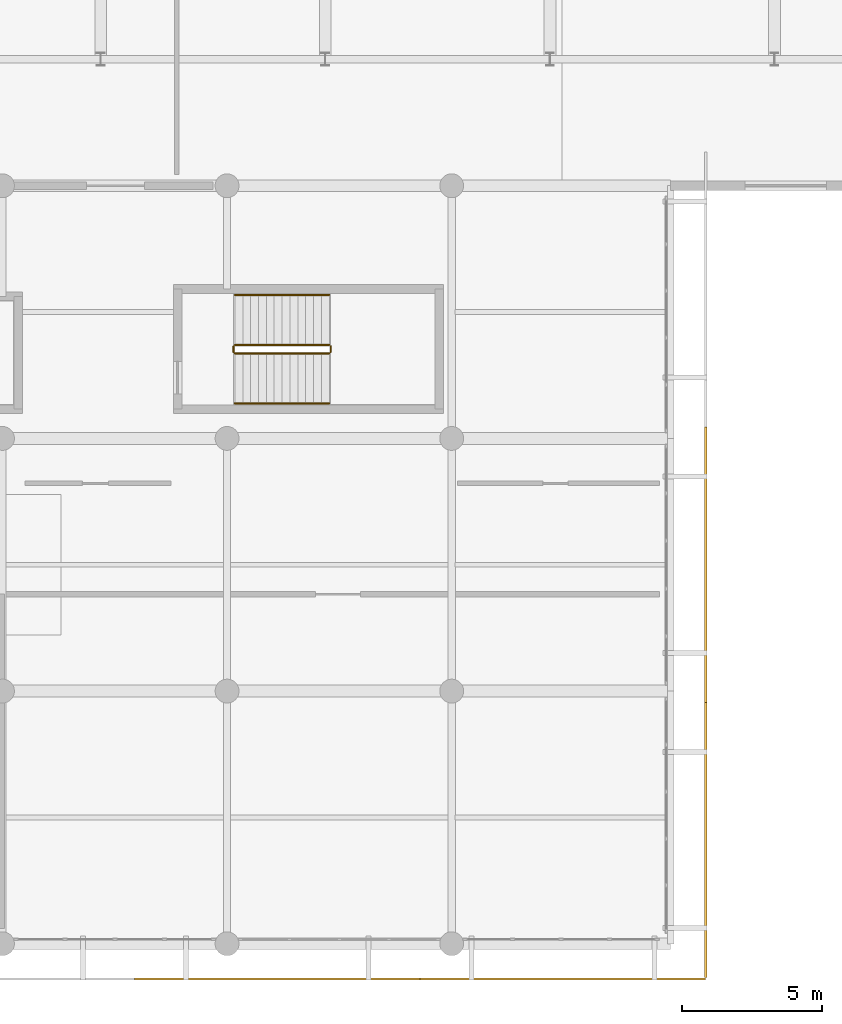
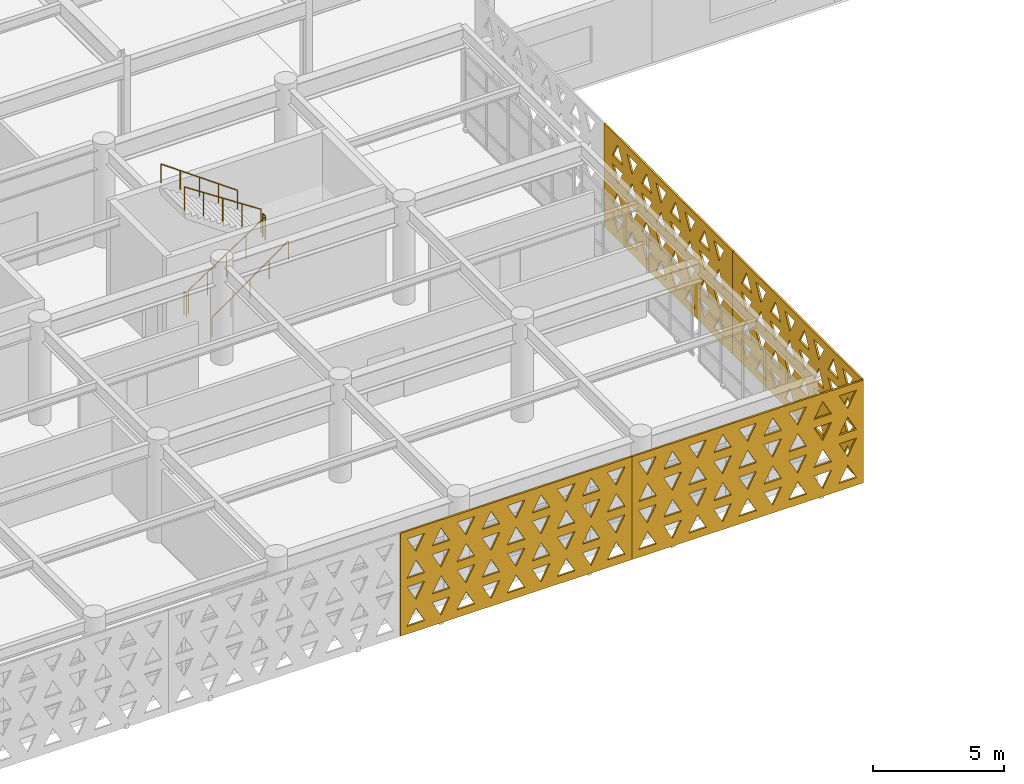
# One storey, part 49 of 54: 6 railings, 4 coverings.
"""IFC4 building model written with IfcOpenShell, lengths in metres."""

from ifc_helpers import new_model, si_unit, direction, frame, origin, origin_2d, place, context, subcontext, project, spatial, polyline, circle, outline, extrude, material, layer, layer_set, type_object, element, save


model = new_model("IFC4")

# Units and contexts
model_context = context("Model", 3, precision=1e-05, world=origin(), true_north=direction((0.0, 1.0)))
body_context = subcontext(model_context, "Body", "Model", "MODEL_VIEW")
ifc_project = project(units=[si_unit("LENGTHUNIT", "METRE"), si_unit("AREAUNIT", "SQUARE_METRE"), si_unit("VOLUMEUNIT", "CUBIC_METRE"), si_unit("PLANEANGLEUNIT", "RADIAN"), si_unit("MASSUNIT", "GRAM", prefix="KILO")], contexts=[model_context])

# Site, building, storey
site_placement = place(None, origin())
site = spatial("IfcSite", under=ifc_project, at=site_placement, CompositionType="ELEMENT")
building_placement = place(site_placement, origin())
building = spatial("IfcBuilding", under=site, at=building_placement, Name="Tlacozan Convention Centre", CompositionType="ELEMENT")
storey_placement = place(building_placement, frame((0.0, 0.0, 11.39990234375)))
storey = spatial("IfcBuildingStorey", under=building, at=storey_placement, Name="L02", CompositionType="ELEMENT", Elevation=11.39990234375)

# Railings
ifc_material_1 = material(Name="Architectural Painted Galvanised Steel Railing", Category="steel")
railing_type_1 = type_object("IfcRailingType", Name="Stair Wall Handrail 900", PredefinedType="HANDRAIL", material=ifc_material_1)
railing_1_placement = place(storey_placement, frame((104.280029296875, 19.25, 0.184814453125)))
element("IfcRailing", 1, at=railing_1_placement, inside=storey, type_object=railing_type_1, Name="L02 ST-05 stair handrail 1", PredefinedType="HANDRAIL", context=body_context, shape_type="SweptSolid", body=[
    extrude(circle(Radius=0.02392578125, at=origin_2d()), frame((0.0, 0.0, 0.8759765625), z_axis=(0.813733471207, 0.0, 0.581238193719), x_axis=(0.0, 1.0, 0.0)), (0.0, 0.0, 1.0), 4.12890625),
    extrude(circle(Radius=0.02099609375, at=origin_2d()), origin(), (0.0, 0.0, 1.0), 0.851806640625),
    extrude(circle(Radius=0.02099609375, at=origin_2d()), frame((0.83984375, 0.0, 0.60009765625)), (0.0, 0.0, 1.0), 0.851806640625),
    extrude(circle(Radius=0.02099609375, at=origin_2d()), frame((1.679931640625, 0.0, 1.199951171875)), (0.0, 0.0, 1.0), 0.851806640625),
    extrude(circle(Radius=0.02099609375, at=origin_2d()), frame((2.52001953125, 0.0, 1.7998046875)), (0.0, 0.0, 1.0), 0.851806640625),
    extrude(circle(Radius=0.02099609375, at=origin_2d()), frame((3.35986328125, 0.0, 2.39990234375)), (0.0, 0.0, 1.0), 0.851806640625),
])
railing_2_placement = place(storey_placement, frame((107.639892578125, 23.110107421875, 2.584716796875)))
element("IfcRailing", 2, at=railing_2_placement, inside=storey, type_object=railing_type_1, Name="L02 ST-05 stair handrail 2", PredefinedType="HANDRAIL", context=body_context, shape_type="SweptSolid", body=[
    extrude(circle(Radius=0.02392578125, at=origin_2d()), frame((0.0, 0.0, 0.8759765625), z_axis=(-0.813733471207, 0.0, 0.581238193719), x_axis=(0.0, -1.0, 0.0)), (0.0, 0.0, 1.0), 4.12890625),
    extrude(circle(Radius=0.02099609375, at=origin_2d()), origin(), (0.0, 0.0, 1.0), 0.851806640625),
    extrude(circle(Radius=0.02099609375, at=origin_2d()), frame((-0.83984375, 0.0, 0.60009765625)), (0.0, 0.0, 1.0), 0.851806640625),
    extrude(circle(Radius=0.02099609375, at=origin_2d()), frame((-1.679931640625, 0.0, 1.199951171875)), (0.0, 0.0, 1.0), 0.851806640625),
    extrude(circle(Radius=0.02099609375, at=origin_2d()), frame((-2.52001953125, 0.0, 1.7998046875)), (0.0, 0.0, 1.0), 0.851806640625),
    extrude(circle(Radius=0.02099609375, at=origin_2d()), frame((-3.35986328125, 0.0, 2.39990234375)), (0.0, 0.0, 1.0), 0.851806640625),
])
railing_type_2 = type_object("IfcRailingType", Name="Stair Well Guardrail 1100", PredefinedType="GUARDRAIL", material=ifc_material_1)
railing_3_placement = place(storey_placement, frame((104.280029296875, 21.030029296875, 0.184814453125)))
element("IfcRailing", 3, at=railing_3_placement, inside=storey, type_object=railing_type_2, Name="L02 ST-05 stair guard 1", PredefinedType="GUARDRAIL", context=body_context, shape_type="SweptSolid", body=[
    extrude(circle(Radius=0.02392578125, at=origin_2d()), frame((0.0, 0.0, 1.076171875), z_axis=(0.834858096282, 0.0, 0.550465220583), x_axis=(0.0, 1.0, 0.0)), (0.0, 0.0, 1.0), 4.0244140625),
    extrude(circle(Radius=0.02099609375, at=origin_2d()), origin(), (0.0, 0.0, 1.0), 1.052001953125),
    extrude(circle(Radius=0.02099609375, at=origin_2d()), frame((0.83984375, 0.0, 0.5537109375)), (0.0, 0.0, 1.0), 1.052001953125),
    extrude(circle(Radius=0.02099609375, at=origin_2d()), frame((1.679931640625, 0.0, 1.107666015625)), (0.0, 0.0, 1.0), 1.052001953125),
    extrude(circle(Radius=0.02099609375, at=origin_2d()), frame((2.52001953125, 0.0, 1.66162109375)), (0.0, 0.0, 1.0), 1.052001953125),
    extrude(circle(Radius=0.02099609375, at=origin_2d()), frame((3.35986328125, 0.0, 2.21533203125)), (0.0, 0.0, 1.0), 1.052001953125),
])
railing_4_placement = place(storey_placement, frame((107.68994140625, 21.080078125, 2.400146484375)))
element("IfcRailing", 4, at=railing_4_placement, inside=storey, type_object=railing_type_2, Name="L02 ST-05 stair guard 2", PredefinedType="GUARDRAIL", context=body_context, shape_type="SweptSolid", body=[
    extrude(circle(Radius=0.02392578125, at=origin_2d()), frame((0.0, 0.0, 1.076171875), z_axis=(0.0, 1.0, 0.0), x_axis=(-1.0, 0.0, 0.0)), (0.0, 0.0, 1.0), 0.199951171875),
    extrude(circle(Radius=0.02099609375, at=origin_2d()), origin(), (0.0, 0.0, 1.0), 1.052001953125),
    extrude(circle(Radius=0.02099609375, at=origin_2d()), frame((0.0, 0.199951171875, 0.0)), (0.0, 0.0, 1.0), 1.052001953125),
])
railing_5_placement = place(storey_placement, frame((107.639892578125, 21.330078125, 2.584716796875)))
element("IfcRailing", 5, at=railing_5_placement, inside=storey, type_object=railing_type_2, Name="L02 ST-05 stair guard 3", PredefinedType="GUARDRAIL", context=body_context, shape_type="SweptSolid", body=[
    extrude(circle(Radius=0.02392578125, at=origin_2d()), frame((0.0, 0.0, 1.076171875), z_axis=(-0.834858096282, 0.0, 0.550465220583), x_axis=(0.0, -1.0, 0.0)), (0.0, 0.0, 1.0), 4.0244140625),
    extrude(circle(Radius=0.02099609375, at=origin_2d()), origin(), (0.0, 0.0, 1.0), 1.052001953125),
    extrude(circle(Radius=0.02099609375, at=origin_2d()), frame((-0.83984375, 0.0, 0.5537109375)), (0.0, 0.0, 1.0), 1.052001953125),
    extrude(circle(Radius=0.02099609375, at=origin_2d()), frame((-1.679931640625, 0.0, 1.107666015625)), (0.0, 0.0, 1.0), 1.052001953125),
    extrude(circle(Radius=0.02099609375, at=origin_2d()), frame((-2.52001953125, 0.0, 1.66162109375)), (0.0, 0.0, 1.0), 1.052001953125),
    extrude(circle(Radius=0.02099609375, at=origin_2d()), frame((-3.35986328125, 0.0, 2.21533203125)), (0.0, 0.0, 1.0), 1.052001953125),
])
railing_6_placement = place(storey_placement, frame((104.22998046875, 21.080078125, 0.0)))
element("IfcRailing", 6, at=railing_6_placement, inside=storey, type_object=railing_type_2, Name="L02 ST-05 stair guard 4", PredefinedType="GUARDRAIL", context=body_context, shape_type="SweptSolid", body=[
    extrude(circle(Radius=0.02392578125, at=origin_2d()), frame((0.0, 0.0, 1.076171875), z_axis=(0.0, 1.0, 0.0), x_axis=(-1.0, 0.0, 0.0)), (0.0, 0.0, 1.0), 0.199951171875),
    extrude(circle(Radius=0.02099609375, at=origin_2d()), origin(), (0.0, 0.0, 1.0), 1.052001953125),
    extrude(circle(Radius=0.02099609375, at=origin_2d()), frame((0.0, 0.199951171875, 0.0)), (0.0, 0.0, 1.0), 1.052001953125),
])

# Coverings
ifc_material_2 = material(Name="Toluca Fired Terracotta Masonry Solar Screen", Category="masonry")
ifc_layer = layer(ifc_material_2, 0.080078125)
ifc_layer_set = layer_set([ifc_layer], Name="Toluca Fired Terracotta Masonry Solar Screen")
covering_type = type_object("IfcCoveringType", Name="Terracotta Triangle Solar Screen 80", PredefinedType="USERDEFINED", material=ifc_layer_set)
covering_1_placement = place(storey_placement, frame((100.701904296875, -1.25, -0.02978515625), z_axis=(0.0, 0.0, 1.0), x_axis=(1.0, 0.0, 0.0)))
element("IfcCovering", 7, at=covering_1_placement, inside=storey, type_object=covering_type, Name="L02 Terracotta Triangle Screen 35", ObjectType="SCREEN", PredefinedType="USERDEFINED", context=body_context, shape_type="SweptSolid", body=[
    extrude(outline(polyline([(0.0, 0.0), (10.171142578125, 0.0), (10.171142578125, 4.77978515625), (0.0, 4.77978515625), (0.0, 0.0)]), holes=[polyline([(0.299560546875, 0.360107421875), (1.071533203125, 0.360107421875), (0.685546875, 1.074951171875), (0.299560546875, 0.360107421875)]), polyline([(1.399658203125, 1.074951171875), (2.171630859375, 1.074951171875), (1.78564453125, 0.360107421875), (1.399658203125, 1.074951171875)]), polyline([(2.49951171875, 0.360107421875), (3.271484375, 0.360107421875), (2.885498046875, 1.074951171875), (2.49951171875, 0.360107421875)]), polyline([(3.599609375, 1.074951171875), (4.37158203125, 1.074951171875), (3.985595703125, 0.360107421875), (3.599609375, 1.074951171875)]), polyline([(4.699462890625, 0.360107421875), (5.4716796875, 0.360107421875), (5.08544921875, 1.074951171875), (4.699462890625, 0.360107421875)]), polyline([(5.799560546875, 1.074951171875), (6.571533203125, 1.074951171875), (6.185546875, 0.360107421875), (5.799560546875, 1.074951171875)]), polyline([(6.899658203125, 0.360107421875), (7.671630859375, 0.360107421875), (7.28564453125, 1.074951171875), (6.899658203125, 0.360107421875)]), polyline([(7.99951171875, 1.074951171875), (8.771484375, 1.074951171875), (8.385498046875, 0.360107421875), (7.99951171875, 1.074951171875)]), polyline([(9.099609375, 0.360107421875), (9.87158203125, 0.360107421875), (9.485595703125, 1.074951171875), (9.099609375, 0.360107421875)]), polyline([(0.299560546875, 2.18994140625), (1.071533203125, 2.18994140625), (0.685546875, 1.47509765625), (0.299560546875, 2.18994140625)]), polyline([(1.399658203125, 1.47509765625), (2.171630859375, 1.47509765625), (1.78564453125, 2.18994140625), (1.399658203125, 1.47509765625)]), polyline([(2.49951171875, 2.18994140625), (3.271484375, 2.18994140625), (2.885498046875, 1.47509765625), (2.49951171875, 2.18994140625)]), polyline([(3.599609375, 1.47509765625), (4.37158203125, 1.47509765625), (3.985595703125, 2.18994140625), (3.599609375, 1.47509765625)]), polyline([(4.699462890625, 2.18994140625), (5.4716796875, 2.18994140625), (5.08544921875, 1.47509765625), (4.699462890625, 2.18994140625)]), polyline([(5.799560546875, 1.47509765625), (6.571533203125, 1.47509765625), (6.185546875, 2.18994140625), (5.799560546875, 1.47509765625)]), polyline([(6.899658203125, 2.18994140625), (7.671630859375, 2.18994140625), (7.28564453125, 1.47509765625), (6.899658203125, 2.18994140625)]), polyline([(7.99951171875, 1.47509765625), (8.771484375, 1.47509765625), (8.385498046875, 2.18994140625), (7.99951171875, 1.47509765625)]), polyline([(9.099609375, 2.18994140625), (9.87158203125, 2.18994140625), (9.485595703125, 1.47509765625), (9.099609375, 2.18994140625)]), polyline([(0.299560546875, 2.58984375), (1.071533203125, 2.58984375), (0.685546875, 3.3046875), (0.299560546875, 2.58984375)]), polyline([(1.399658203125, 3.3046875), (2.171630859375, 3.3046875), (1.78564453125, 2.58984375), (1.399658203125, 3.3046875)]), polyline([(2.49951171875, 2.58984375), (3.271484375, 2.58984375), (2.885498046875, 3.3046875), (2.49951171875, 2.58984375)]), polyline([(3.599609375, 3.3046875), (4.37158203125, 3.3046875), (3.985595703125, 2.58984375), (3.599609375, 3.3046875)]), polyline([(4.699462890625, 2.58984375), (5.4716796875, 2.58984375), (5.08544921875, 3.3046875), (4.699462890625, 2.58984375)]), polyline([(5.799560546875, 3.3046875), (6.571533203125, 3.3046875), (6.185546875, 2.58984375), (5.799560546875, 3.3046875)]), polyline([(6.899658203125, 2.58984375), (7.671630859375, 2.58984375), (7.28564453125, 3.3046875), (6.899658203125, 2.58984375)]), polyline([(7.99951171875, 3.3046875), (8.771484375, 3.3046875), (8.385498046875, 2.58984375), (7.99951171875, 3.3046875)]), polyline([(9.099609375, 2.58984375), (9.87158203125, 2.58984375), (9.485595703125, 3.3046875), (9.099609375, 2.58984375)]), polyline([(0.299560546875, 4.419677734375), (1.071533203125, 4.419677734375), (0.685546875, 3.704833984375), (0.299560546875, 4.419677734375)]), polyline([(1.399658203125, 3.704833984375), (2.171630859375, 3.704833984375), (1.78564453125, 4.419677734375), (1.399658203125, 3.704833984375)]), polyline([(2.49951171875, 4.419677734375), (3.271484375, 4.419677734375), (2.885498046875, 3.704833984375), (2.49951171875, 4.419677734375)]), polyline([(3.599609375, 3.704833984375), (4.37158203125, 3.704833984375), (3.985595703125, 4.419677734375), (3.599609375, 3.704833984375)]), polyline([(4.699462890625, 4.419677734375), (5.4716796875, 4.419677734375), (5.08544921875, 3.704833984375), (4.699462890625, 4.419677734375)]), polyline([(5.799560546875, 3.704833984375), (6.571533203125, 3.704833984375), (6.185546875, 4.419677734375), (5.799560546875, 3.704833984375)]), polyline([(6.899658203125, 4.419677734375), (7.671630859375, 4.419677734375), (7.28564453125, 3.704833984375), (6.899658203125, 4.419677734375)]), polyline([(7.99951171875, 3.704833984375), (8.771484375, 3.704833984375), (8.385498046875, 4.419677734375), (7.99951171875, 3.704833984375)]), polyline([(9.099609375, 4.419677734375), (9.87158203125, 4.419677734375), (9.485595703125, 3.704833984375), (9.099609375, 4.419677734375)])]), frame((0.0, 0.0400390625, 0.0), z_axis=(0.0, -1.0, 0.0), x_axis=(1.0, 0.0, 0.0)), (0.0, 0.0, 1.0), 0.080078125),
])
covering_2_placement = place(storey_placement, frame((110.876953125, -1.25, -0.02978515625), z_axis=(0.0, 0.0, 1.0), x_axis=(1.0, 0.0, 0.0)))
element("IfcCovering", 8, at=covering_2_placement, inside=storey, type_object=covering_type, Name="L02 Terracotta Triangle Screen 36", ObjectType="SCREEN", PredefinedType="USERDEFINED", context=body_context, shape_type="SweptSolid", body=[
    extrude(outline(polyline([(0.0, 0.0), (10.171142578125, 0.0), (10.171142578125, 4.77978515625), (0.0, 4.77978515625), (0.0, 0.0)]), holes=[polyline([(0.299560546875, 0.360107421875), (1.071533203125, 0.360107421875), (0.685546875, 1.074951171875), (0.299560546875, 0.360107421875)]), polyline([(1.399658203125, 1.074951171875), (2.171630859375, 1.074951171875), (1.78564453125, 0.360107421875), (1.399658203125, 1.074951171875)]), polyline([(2.49951171875, 0.360107421875), (3.271484375, 0.360107421875), (2.885498046875, 1.074951171875), (2.49951171875, 0.360107421875)]), polyline([(3.599609375, 1.074951171875), (4.37158203125, 1.074951171875), (3.985595703125, 0.360107421875), (3.599609375, 1.074951171875)]), polyline([(4.699462890625, 0.360107421875), (5.4716796875, 0.360107421875), (5.08544921875, 1.074951171875), (4.699462890625, 0.360107421875)]), polyline([(5.799560546875, 1.074951171875), (6.571533203125, 1.074951171875), (6.185546875, 0.360107421875), (5.799560546875, 1.074951171875)]), polyline([(6.899658203125, 0.360107421875), (7.671630859375, 0.360107421875), (7.28564453125, 1.074951171875), (6.899658203125, 0.360107421875)]), polyline([(7.99951171875, 1.074951171875), (8.771484375, 1.074951171875), (8.385498046875, 0.360107421875), (7.99951171875, 1.074951171875)]), polyline([(9.099609375, 0.360107421875), (9.87158203125, 0.360107421875), (9.485595703125, 1.074951171875), (9.099609375, 0.360107421875)]), polyline([(0.299560546875, 2.18994140625), (1.071533203125, 2.18994140625), (0.685546875, 1.47509765625), (0.299560546875, 2.18994140625)]), polyline([(1.399658203125, 1.47509765625), (2.171630859375, 1.47509765625), (1.78564453125, 2.18994140625), (1.399658203125, 1.47509765625)]), polyline([(2.49951171875, 2.18994140625), (3.271484375, 2.18994140625), (2.885498046875, 1.47509765625), (2.49951171875, 2.18994140625)]), polyline([(3.599609375, 1.47509765625), (4.37158203125, 1.47509765625), (3.985595703125, 2.18994140625), (3.599609375, 1.47509765625)]), polyline([(4.699462890625, 2.18994140625), (5.4716796875, 2.18994140625), (5.08544921875, 1.47509765625), (4.699462890625, 2.18994140625)]), polyline([(5.799560546875, 1.47509765625), (6.571533203125, 1.47509765625), (6.185546875, 2.18994140625), (5.799560546875, 1.47509765625)]), polyline([(6.899658203125, 2.18994140625), (7.671630859375, 2.18994140625), (7.28564453125, 1.47509765625), (6.899658203125, 2.18994140625)]), polyline([(7.99951171875, 1.47509765625), (8.771484375, 1.47509765625), (8.385498046875, 2.18994140625), (7.99951171875, 1.47509765625)]), polyline([(9.099609375, 2.18994140625), (9.87158203125, 2.18994140625), (9.485595703125, 1.47509765625), (9.099609375, 2.18994140625)]), polyline([(0.299560546875, 2.58984375), (1.071533203125, 2.58984375), (0.685546875, 3.3046875), (0.299560546875, 2.58984375)]), polyline([(1.399658203125, 3.3046875), (2.171630859375, 3.3046875), (1.78564453125, 2.58984375), (1.399658203125, 3.3046875)]), polyline([(2.49951171875, 2.58984375), (3.271484375, 2.58984375), (2.885498046875, 3.3046875), (2.49951171875, 2.58984375)]), polyline([(3.599609375, 3.3046875), (4.37158203125, 3.3046875), (3.985595703125, 2.58984375), (3.599609375, 3.3046875)]), polyline([(4.699462890625, 2.58984375), (5.4716796875, 2.58984375), (5.08544921875, 3.3046875), (4.699462890625, 2.58984375)]), polyline([(5.799560546875, 3.3046875), (6.571533203125, 3.3046875), (6.185546875, 2.58984375), (5.799560546875, 3.3046875)]), polyline([(6.899658203125, 2.58984375), (7.671630859375, 2.58984375), (7.28564453125, 3.3046875), (6.899658203125, 2.58984375)]), polyline([(7.99951171875, 3.3046875), (8.771484375, 3.3046875), (8.385498046875, 2.58984375), (7.99951171875, 3.3046875)]), polyline([(9.099609375, 2.58984375), (9.87158203125, 2.58984375), (9.485595703125, 3.3046875), (9.099609375, 2.58984375)]), polyline([(0.299560546875, 4.419677734375), (1.071533203125, 4.419677734375), (0.685546875, 3.704833984375), (0.299560546875, 4.419677734375)]), polyline([(1.399658203125, 3.704833984375), (2.171630859375, 3.704833984375), (1.78564453125, 4.419677734375), (1.399658203125, 3.704833984375)]), polyline([(2.49951171875, 4.419677734375), (3.271484375, 4.419677734375), (2.885498046875, 3.704833984375), (2.49951171875, 4.419677734375)]), polyline([(3.599609375, 3.704833984375), (4.37158203125, 3.704833984375), (3.985595703125, 4.419677734375), (3.599609375, 3.704833984375)]), polyline([(4.699462890625, 4.419677734375), (5.4716796875, 4.419677734375), (5.08544921875, 3.704833984375), (4.699462890625, 4.419677734375)]), polyline([(5.799560546875, 3.704833984375), (6.571533203125, 3.704833984375), (6.185546875, 4.419677734375), (5.799560546875, 3.704833984375)]), polyline([(6.899658203125, 4.419677734375), (7.671630859375, 4.419677734375), (7.28564453125, 3.704833984375), (6.899658203125, 4.419677734375)]), polyline([(7.99951171875, 3.704833984375), (8.771484375, 3.704833984375), (8.385498046875, 4.419677734375), (7.99951171875, 3.704833984375)]), polyline([(9.099609375, 4.419677734375), (9.87158203125, 4.419677734375), (9.485595703125, 3.704833984375), (9.099609375, 4.419677734375)])]), frame((0.0, 0.0400390625, 0.0), z_axis=(0.0, -1.0, 0.0), x_axis=(1.0, 0.0, 0.0)), (0.0, 0.0, 1.0), 0.080078125),
])
covering_3_placement = place(storey_placement, frame((121.050048828125, -1.205078125, -0.02978515625), z_axis=(0.0, 0.0, 1.0), x_axis=(0.0, 1.0, 0.0)))
element("IfcCovering", 9, at=covering_3_placement, inside=storey, type_object=covering_type, Name="L02 Terracotta Triangle Screen 40", ObjectType="SCREEN", PredefinedType="USERDEFINED", context=body_context, shape_type="SweptSolid", body=[
    extrude(outline(polyline([(0.0, 0.0), (9.80078125, 0.0), (9.80078125, 4.77978515625), (0.0, 4.77978515625), (0.0, 0.0)]), holes=[polyline([(0.664306640625, 0.360107421875), (1.4365234375, 0.360107421875), (1.05029296875, 1.074951171875), (0.664306640625, 0.360107421875)]), polyline([(1.764404296875, 1.074951171875), (2.536376953125, 1.074951171875), (2.150390625, 0.360107421875), (1.764404296875, 1.074951171875)]), polyline([(2.8642578125, 0.360107421875), (3.636474609375, 0.360107421875), (3.25048828125, 1.074951171875), (2.8642578125, 0.360107421875)]), polyline([(3.96435546875, 1.074951171875), (4.736328125, 1.074951171875), (4.350341796875, 0.360107421875), (3.96435546875, 1.074951171875)]), polyline([(5.064453125, 0.360107421875), (5.83642578125, 0.360107421875), (5.450439453125, 1.074951171875), (5.064453125, 0.360107421875)]), polyline([(6.164306640625, 1.074951171875), (6.9365234375, 1.074951171875), (6.55029296875, 0.360107421875), (6.164306640625, 1.074951171875)]), polyline([(7.264404296875, 0.360107421875), (8.036376953125, 0.360107421875), (7.650390625, 1.074951171875), (7.264404296875, 0.360107421875)]), polyline([(8.3642578125, 1.074951171875), (9.136474609375, 1.074951171875), (8.75048828125, 0.360107421875), (8.3642578125, 1.074951171875)]), polyline([(0.664306640625, 2.18994140625), (1.4365234375, 2.18994140625), (1.05029296875, 1.47509765625), (0.664306640625, 2.18994140625)]), polyline([(1.764404296875, 1.47509765625), (2.536376953125, 1.47509765625), (2.150390625, 2.18994140625), (1.764404296875, 1.47509765625)]), polyline([(2.8642578125, 2.18994140625), (3.636474609375, 2.18994140625), (3.25048828125, 1.47509765625), (2.8642578125, 2.18994140625)]), polyline([(3.96435546875, 1.47509765625), (4.736328125, 1.47509765625), (4.350341796875, 2.18994140625), (3.96435546875, 1.47509765625)]), polyline([(5.064453125, 2.18994140625), (5.83642578125, 2.18994140625), (5.450439453125, 1.47509765625), (5.064453125, 2.18994140625)]), polyline([(6.164306640625, 1.47509765625), (6.9365234375, 1.47509765625), (6.55029296875, 2.18994140625), (6.164306640625, 1.47509765625)]), polyline([(7.264404296875, 2.18994140625), (8.036376953125, 2.18994140625), (7.650390625, 1.47509765625), (7.264404296875, 2.18994140625)]), polyline([(8.3642578125, 1.47509765625), (9.136474609375, 1.47509765625), (8.75048828125, 2.18994140625), (8.3642578125, 1.47509765625)]), polyline([(0.664306640625, 2.58984375), (1.4365234375, 2.58984375), (1.05029296875, 3.3046875), (0.664306640625, 2.58984375)]), polyline([(1.764404296875, 3.3046875), (2.536376953125, 3.3046875), (2.150390625, 2.58984375), (1.764404296875, 3.3046875)]), polyline([(2.8642578125, 2.58984375), (3.636474609375, 2.58984375), (3.25048828125, 3.3046875), (2.8642578125, 2.58984375)]), polyline([(3.96435546875, 3.3046875), (4.736328125, 3.3046875), (4.350341796875, 2.58984375), (3.96435546875, 3.3046875)]), polyline([(5.064453125, 2.58984375), (5.83642578125, 2.58984375), (5.450439453125, 3.3046875), (5.064453125, 2.58984375)]), polyline([(6.164306640625, 3.3046875), (6.9365234375, 3.3046875), (6.55029296875, 2.58984375), (6.164306640625, 3.3046875)]), polyline([(7.264404296875, 2.58984375), (8.036376953125, 2.58984375), (7.650390625, 3.3046875), (7.264404296875, 2.58984375)]), polyline([(8.3642578125, 3.3046875), (9.136474609375, 3.3046875), (8.75048828125, 2.58984375), (8.3642578125, 3.3046875)]), polyline([(0.664306640625, 4.419677734375), (1.4365234375, 4.419677734375), (1.05029296875, 3.704833984375), (0.664306640625, 4.419677734375)]), polyline([(1.764404296875, 3.704833984375), (2.536376953125, 3.704833984375), (2.150390625, 4.419677734375), (1.764404296875, 3.704833984375)]), polyline([(2.8642578125, 4.419677734375), (3.636474609375, 4.419677734375), (3.25048828125, 3.704833984375), (2.8642578125, 4.419677734375)]), polyline([(3.96435546875, 3.704833984375), (4.736328125, 3.704833984375), (4.350341796875, 4.419677734375), (3.96435546875, 3.704833984375)]), polyline([(5.064453125, 4.419677734375), (5.83642578125, 4.419677734375), (5.450439453125, 3.704833984375), (5.064453125, 4.419677734375)]), polyline([(6.164306640625, 3.704833984375), (6.9365234375, 3.704833984375), (6.55029296875, 4.419677734375), (6.164306640625, 3.704833984375)]), polyline([(7.264404296875, 4.419677734375), (8.036376953125, 4.419677734375), (7.650390625, 3.704833984375), (7.264404296875, 4.419677734375)]), polyline([(8.3642578125, 3.704833984375), (9.136474609375, 3.704833984375), (8.75048828125, 4.419677734375), (8.3642578125, 3.704833984375)])]), frame((0.0, 0.0400390625, 0.0), z_axis=(0.0, -1.0, 0.0), x_axis=(1.0, 0.0, 0.0)), (0.0, 0.0, 1.0), 0.080078125),
])
covering_4_placement = place(storey_placement, frame((121.050048828125, 8.599609375, -0.02978515625), z_axis=(0.0, 0.0, 1.0), x_axis=(0.0, 1.0, 0.0)))
element("IfcCovering", 10, at=covering_4_placement, inside=storey, type_object=covering_type, Name="L02 Terracotta Triangle Screen 41", ObjectType="SCREEN", PredefinedType="USERDEFINED", context=body_context, shape_type="SweptSolid", body=[
    extrude(outline(polyline([(0.0, 0.0), (9.80078125, 0.0), (9.80078125, 4.77978515625), (0.0, 4.77978515625), (0.0, 0.0)]), holes=[polyline([(0.664306640625, 0.360107421875), (1.4365234375, 0.360107421875), (1.05029296875, 1.074951171875), (0.664306640625, 0.360107421875)]), polyline([(1.764404296875, 1.074951171875), (2.536376953125, 1.074951171875), (2.150390625, 0.360107421875), (1.764404296875, 1.074951171875)]), polyline([(2.8642578125, 0.360107421875), (3.636474609375, 0.360107421875), (3.25048828125, 1.074951171875), (2.8642578125, 0.360107421875)]), polyline([(3.96435546875, 1.074951171875), (4.736328125, 1.074951171875), (4.350341796875, 0.360107421875), (3.96435546875, 1.074951171875)]), polyline([(5.064453125, 0.360107421875), (5.83642578125, 0.360107421875), (5.450439453125, 1.074951171875), (5.064453125, 0.360107421875)]), polyline([(6.164306640625, 1.074951171875), (6.9365234375, 1.074951171875), (6.55029296875, 0.360107421875), (6.164306640625, 1.074951171875)]), polyline([(7.264404296875, 0.360107421875), (8.036376953125, 0.360107421875), (7.650390625, 1.074951171875), (7.264404296875, 0.360107421875)]), polyline([(8.3642578125, 1.074951171875), (9.136474609375, 1.074951171875), (8.75048828125, 0.360107421875), (8.3642578125, 1.074951171875)]), polyline([(0.664306640625, 2.18994140625), (1.4365234375, 2.18994140625), (1.05029296875, 1.47509765625), (0.664306640625, 2.18994140625)]), polyline([(1.764404296875, 1.47509765625), (2.536376953125, 1.47509765625), (2.150390625, 2.18994140625), (1.764404296875, 1.47509765625)]), polyline([(2.8642578125, 2.18994140625), (3.636474609375, 2.18994140625), (3.25048828125, 1.47509765625), (2.8642578125, 2.18994140625)]), polyline([(3.96435546875, 1.47509765625), (4.736328125, 1.47509765625), (4.350341796875, 2.18994140625), (3.96435546875, 1.47509765625)]), polyline([(5.064453125, 2.18994140625), (5.83642578125, 2.18994140625), (5.450439453125, 1.47509765625), (5.064453125, 2.18994140625)]), polyline([(6.164306640625, 1.47509765625), (6.9365234375, 1.47509765625), (6.55029296875, 2.18994140625), (6.164306640625, 1.47509765625)]), polyline([(7.264404296875, 2.18994140625), (8.036376953125, 2.18994140625), (7.650390625, 1.47509765625), (7.264404296875, 2.18994140625)]), polyline([(8.3642578125, 1.47509765625), (9.136474609375, 1.47509765625), (8.75048828125, 2.18994140625), (8.3642578125, 1.47509765625)]), polyline([(0.664306640625, 2.58984375), (1.4365234375, 2.58984375), (1.05029296875, 3.3046875), (0.664306640625, 2.58984375)]), polyline([(1.764404296875, 3.3046875), (2.536376953125, 3.3046875), (2.150390625, 2.58984375), (1.764404296875, 3.3046875)]), polyline([(2.8642578125, 2.58984375), (3.636474609375, 2.58984375), (3.25048828125, 3.3046875), (2.8642578125, 2.58984375)]), polyline([(3.96435546875, 3.3046875), (4.736328125, 3.3046875), (4.350341796875, 2.58984375), (3.96435546875, 3.3046875)]), polyline([(5.064453125, 2.58984375), (5.83642578125, 2.58984375), (5.450439453125, 3.3046875), (5.064453125, 2.58984375)]), polyline([(6.164306640625, 3.3046875), (6.9365234375, 3.3046875), (6.55029296875, 2.58984375), (6.164306640625, 3.3046875)]), polyline([(7.264404296875, 2.58984375), (8.036376953125, 2.58984375), (7.650390625, 3.3046875), (7.264404296875, 2.58984375)]), polyline([(8.3642578125, 3.3046875), (9.136474609375, 3.3046875), (8.75048828125, 2.58984375), (8.3642578125, 3.3046875)]), polyline([(0.664306640625, 4.419677734375), (1.4365234375, 4.419677734375), (1.05029296875, 3.704833984375), (0.664306640625, 4.419677734375)]), polyline([(1.764404296875, 3.704833984375), (2.536376953125, 3.704833984375), (2.150390625, 4.419677734375), (1.764404296875, 3.704833984375)]), polyline([(2.8642578125, 4.419677734375), (3.636474609375, 4.419677734375), (3.25048828125, 3.704833984375), (2.8642578125, 4.419677734375)]), polyline([(3.96435546875, 3.704833984375), (4.736328125, 3.704833984375), (4.350341796875, 4.419677734375), (3.96435546875, 3.704833984375)]), polyline([(5.064453125, 4.419677734375), (5.83642578125, 4.419677734375), (5.450439453125, 3.704833984375), (5.064453125, 4.419677734375)]), polyline([(6.164306640625, 3.704833984375), (6.9365234375, 3.704833984375), (6.55029296875, 4.419677734375), (6.164306640625, 3.704833984375)]), polyline([(7.264404296875, 4.419677734375), (8.036376953125, 4.419677734375), (7.650390625, 3.704833984375), (7.264404296875, 4.419677734375)]), polyline([(8.3642578125, 3.704833984375), (9.136474609375, 3.704833984375), (8.75048828125, 4.419677734375), (8.3642578125, 3.704833984375)])]), frame((0.0, 0.0400390625, 0.0), z_axis=(0.0, -1.0, 0.0), x_axis=(1.0, 0.0, 0.0)), (0.0, 0.0, 1.0), 0.080078125),
])

save(model, "model.ifc")
